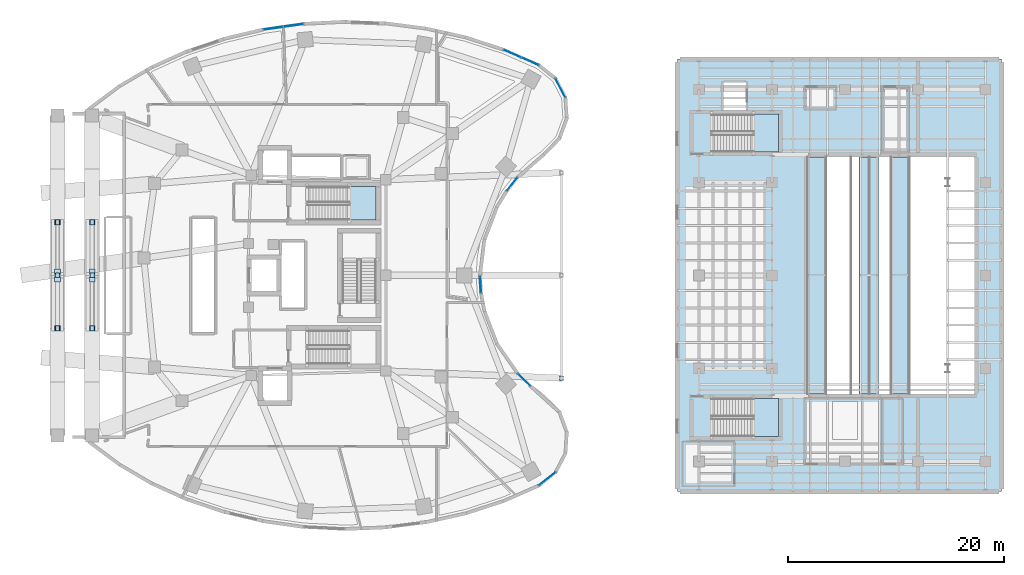
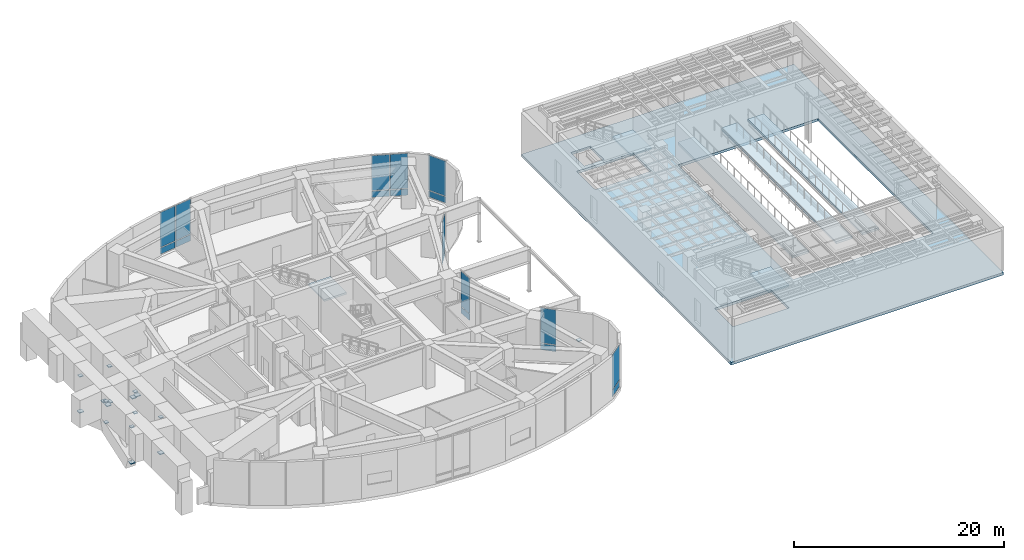
# One storey, part 12 of 23: 35 plates, 7 slabs, 10 elements without a shape of their own.
"""IFC4 building model written with IfcOpenShell, lengths in metres."""

from ifc_helpers import new_model, si_unit, direction, frame, origin, origin_2d, place, context, subcontext, project, spatial, polyline, rectangle, outline, extrude, material, layer, layer_set, type_object, element, aggregate, save


model = new_model("IFC4")

# Units and contexts
model_context = context("Model", 3, precision=1e-05, world=origin(), true_north=direction((0.0, 1.0)))
body_context = subcontext(model_context, "Body", "Model", "MODEL_VIEW")
ifc_project = project(units=[si_unit("LENGTHUNIT", "METRE"), si_unit("AREAUNIT", "SQUARE_METRE"), si_unit("VOLUMEUNIT", "CUBIC_METRE"), si_unit("PLANEANGLEUNIT", "RADIAN"), si_unit("MASSUNIT", "GRAM", prefix="KILO")], contexts=[model_context])

# Site, building, storey
site_placement = place(None, origin())
site = spatial("IfcSite", under=ifc_project, at=site_placement, CompositionType="ELEMENT")
building_placement = place(site_placement, origin())
building = spatial("IfcBuilding", under=site, at=building_placement, Name="Korentha Bioscience Tower", CompositionType="ELEMENT")
storey_placement = place(building_placement, frame((0.0, 0.0, 15.0)))
storey = spatial("IfcBuildingStorey", under=building, at=storey_placement, Name="L03", CompositionType="ELEMENT", Elevation=15.0)

# Slabs
ifc_material_1 = material(Name="Concrete C50", Category="concrete")
ifc_layer_1 = layer(ifc_material_1, 0.260009765625, Name="Concrete C50")
ifc_layer_set_1 = layer_set([ifc_layer_1], Name="Concrete C50 (ST-TIER)")
slab_type_1 = type_object("IfcSlabType", Name="Auditorium Raked Seating Tier Slab 260", PredefinedType="USERDEFINED", material=ifc_layer_set_1)
slab_1_placement = place(storey_placement, frame((0.0, 0.0, 2.43994140625)))
element("IfcSlab", 1, at=slab_1_placement, inside=storey, type_object=slab_type_1, Name="L03 Auditorium Acoustic Catwalk 1", ObjectType="SEATING_TIER", PredefinedType="USERDEFINED", context=body_context, shape_type="SweptSolid", body=[
    extrude(outline(polyline([(76.5, 16.050048828125), (78.300048828125, 16.050048828125), (78.300048828125, 37.949951171875), (76.5, 37.949951171875), (76.5, 16.050048828125)])), origin(), (0.0, 0.0, 1.0), 0.260009765625),
])
slab_2_placement = place(storey_placement, frame((0.0, 0.0, 2.43994140625)))
element("IfcSlab", 2, at=slab_2_placement, inside=storey, type_object=slab_type_1, Name="L03 Auditorium Acoustic Catwalk 2", ObjectType="SEATING_TIER", PredefinedType="USERDEFINED", context=body_context, shape_type="SweptSolid", body=[
    extrude(outline(polyline([(81.300048828125, 16.050048828125), (83.10009765625, 16.050048828125), (83.10009765625, 37.949951171875), (81.300048828125, 37.949951171875), (81.300048828125, 16.050048828125)])), origin(), (0.0, 0.0, 1.0), 0.260009765625),
])
slab_3_placement = place(storey_placement, frame((0.0, 0.0, 2.43994140625)))
element("IfcSlab", 3, at=slab_3_placement, inside=storey, type_object=slab_type_1, Name="L03 Auditorium Acoustic Catwalk 3", ObjectType="SEATING_TIER", PredefinedType="USERDEFINED", context=body_context, shape_type="SweptSolid", body=[
    extrude(outline(polyline([(84.199951171875, 16.050048828125), (86.0, 16.050048828125), (86.0, 37.949951171875), (84.199951171875, 37.949951171875), (84.199951171875, 16.050048828125)])), origin(), (0.0, 0.0, 1.0), 0.260009765625),
])
ifc_layer_2 = layer(ifc_material_1, 0.300048828125, Name="Concrete C50")
ifc_layer_set_2 = layer_set([ifc_layer_2], Name="Concrete C50 (SL-TH300)")
slab_type_2 = type_object("IfcSlabType", Name="Civic Theatre Floor Slab 300", PredefinedType="FLOOR", material=ifc_layer_set_2)
slab_4_placement = place(storey_placement, frame((0.0, 0.0, -0.300048828125)))
element("IfcSlab", 4, at=slab_4_placement, inside=storey, type_object=slab_type_2, Name="L03 Civic Performing-Arts Theatre Floor Slab", PredefinedType="FLOOR", context=body_context, shape_type="SweptSolid", body=[
    extrude(outline(polyline([(64.5, 7.0), (94.5, 7.0), (94.5, 47.0), (64.5, 47.0), (64.5, 7.0)]), holes=[polyline([(67.64990234375, 12.10009765625), (73.85009765625, 12.10009765625), (73.85009765625, 15.60009765625), (67.64990234375, 15.60009765625), (67.64990234375, 12.10009765625)]), polyline([(67.64990234375, 38.39990234375), (73.85009765625, 38.39990234375), (73.85009765625, 41.89990234375), (67.64990234375, 41.89990234375), (67.64990234375, 38.39990234375)]), polyline([(68.7099609375, 42.31005859375), (70.889892578125, 42.31005859375), (70.889892578125, 44.889892578125), (68.7099609375, 44.889892578125), (68.7099609375, 42.31005859375)]), polyline([(76.550048828125, 16.0), (92.0, 16.0), (92.0, 38.0), (76.550048828125, 38.0), (76.550048828125, 16.0)])]), origin(), (0.0, 0.0, 1.0), 0.300048828125),
])

# Curtain wall, plates
ifc_material_2 = material(Name="Stone-Clad Aluminium Frame", Category="masonry")
ifc_layer_3 = layer(ifc_material_2, 0.219970703125, Name="Stone-Clad Aluminium Frame")
ifc_layer_set_3 = layer_set([ifc_layer_3], Name="Stone-Clad Aluminium Frame (CW-P1)")
curtain_wall_type = type_object("IfcCurtainWallType", Name="Podium Double-Height Stone-Mullion Curtain Wall CW-P1", PredefinedType="USERDEFINED", material=ifc_layer_set_3)
curtain_wall_1_placement = place(storey_placement, origin())
curtain_wall_1 = element("IfcCurtainWall", 5, at=curtain_wall_1_placement, inside=storey, type_object=curtain_wall_type, Name="L03 Curtain Wall 01", ObjectType="UNITISED", PredefinedType="USERDEFINED")
ifc_material_3 = material(Name="Triple-Glazed Low-E Insulated Glass", Category="glass")
ifc_layer_4 = layer(ifc_material_3, 0.0439453125, Name="Triple-Glazed Low-E Insulated Glass")
ifc_layer_set_4 = layer_set([ifc_layer_4], Name="Triple-Glazed Low-E Insulated Glass (GL-44)")
plate_type_1 = type_object("IfcPlateType", Name="Glazed Panel 44mm", PredefinedType="CURTAIN_PANEL", material=ifc_layer_set_4)
plate_1_placement = place(storey_placement, frame((50.893310546875, 46.780029296875, 0.08984375), z_axis=(0.0, 0.0, 1.0), x_axis=(-0.91593909057, 0.401317308828, 0.0)))
plate_1 = element("IfcPlate", 6, at=plate_1_placement, type_object=plate_type_1, Name="CW-L03-01 Bay 1 Glazed Panel 1", PredefinedType="CURTAIN_PANEL", context=body_context, shape_type="SweptSolid", body=[
    extrude(rectangle(XDim=1.701171875, YDim=0.0439453125, at=origin_2d()), origin(), (0.0, 0.0, 1.0), 0.715087890625),
])
plate_2_placement = place(storey_placement, frame((50.893310546875, 46.780029296875, 0.89501953125), z_axis=(0.0, 0.0, 1.0), x_axis=(-0.91593909057, 0.401317308828, 0.0)))
plate_2 = element("IfcPlate", 7, at=plate_2_placement, type_object=plate_type_1, Name="CW-L03-01 Bay 1 Glazed Panel 2", PredefinedType="CURTAIN_PANEL", context=body_context, shape_type="SweptSolid", body=[
    extrude(rectangle(XDim=1.701171875, YDim=0.0439453125, at=origin_2d()), origin(), (0.0, 0.0, 1.0), 4.06494140625),
])
plate_3_placement = place(storey_placement, frame((49.25244140625, 47.498779296875, 0.08984375), z_axis=(0.0, 0.0, 1.0), x_axis=(-0.91593909057, 0.401317308828, 0.0)))
plate_3 = element("IfcPlate", 8, at=plate_3_placement, type_object=plate_type_1, Name="CW-L03-01 Bay 2 Glazed Panel 1", PredefinedType="CURTAIN_PANEL", context=body_context, shape_type="SweptSolid", body=[
    extrude(rectangle(XDim=1.701171875, YDim=0.0439453125, at=origin_2d()), origin(), (0.0, 0.0, 1.0), 0.715087890625),
])
plate_4_placement = place(storey_placement, frame((49.25244140625, 47.498779296875, 0.89501953125), z_axis=(0.0, 0.0, 1.0), x_axis=(-0.91593909057, 0.401317308828, 0.0)))
plate_4 = element("IfcPlate", 9, at=plate_4_placement, type_object=plate_type_1, Name="CW-L03-01 Bay 2 Glazed Panel 2", PredefinedType="CURTAIN_PANEL", context=body_context, shape_type="SweptSolid", body=[
    extrude(rectangle(XDim=1.701171875, YDim=0.0439453125, at=origin_2d()), origin(), (0.0, 0.0, 1.0), 4.06494140625),
])
aggregate(curtain_wall_1, [plate_1, plate_2, plate_3, plate_4])

curtain_wall_2_placement = place(storey_placement, origin())
curtain_wall_2 = element("IfcCurtainWall", 10, at=curtain_wall_2_placement, inside=storey, type_object=curtain_wall_type, Name="L03 Curtain Wall 07", ObjectType="UNITISED", PredefinedType="USERDEFINED")
plate_5_placement = place(storey_placement, frame((29.0224609375, 50.11572265625, 0.08984375), z_axis=(0.0, 0.0, 1.0), x_axis=(-0.990167372968, -0.139887717511, 0.0)))
plate_5 = element("IfcPlate", 11, at=plate_5_placement, type_object=plate_type_1, Name="CW-L03-07 Bay 1 Glazed Panel 1", PredefinedType="CURTAIN_PANEL", context=body_context, shape_type="SweptSolid", body=[
    extrude(rectangle(XDim=1.800537109375, YDim=0.0439453125, at=origin_2d()), origin(), (0.0, 0.0, 1.0), 0.715087890625),
])
plate_6_placement = place(storey_placement, frame((29.0224609375, 50.11572265625, 0.89501953125), z_axis=(0.0, 0.0, 1.0), x_axis=(-0.990167372968, -0.139887717511, 0.0)))
plate_6 = element("IfcPlate", 12, at=plate_6_placement, type_object=plate_type_1, Name="CW-L03-07 Bay 1 Glazed Panel 2", PredefinedType="CURTAIN_PANEL", context=body_context, shape_type="SweptSolid", body=[
    extrude(rectangle(XDim=1.800537109375, YDim=0.0439453125, at=origin_2d()), origin(), (0.0, 0.0, 1.0), 4.06494140625),
])
plate_7_placement = place(storey_placement, frame((27.150634765625, 49.851318359375, 0.08984375), z_axis=(0.0, 0.0, 1.0), x_axis=(-0.990167372968, -0.139887717511, 0.0)))
plate_7 = element("IfcPlate", 13, at=plate_7_placement, type_object=plate_type_1, Name="CW-L03-07 Bay 2 Glazed Panel 1", PredefinedType="CURTAIN_PANEL", context=body_context, shape_type="SweptSolid", body=[
    extrude(rectangle(XDim=1.800537109375, YDim=0.0439453125, at=origin_2d()), origin(), (0.0, 0.0, 1.0), 0.715087890625),
])
plate_8_placement = place(storey_placement, frame((27.150634765625, 49.851318359375, 0.89501953125), z_axis=(0.0, 0.0, 1.0), x_axis=(-0.990167372968, -0.139887717511, 0.0)))
plate_8 = element("IfcPlate", 14, at=plate_8_placement, type_object=plate_type_1, Name="CW-L03-07 Bay 2 Glazed Panel 2", PredefinedType="CURTAIN_PANEL", context=body_context, shape_type="SweptSolid", body=[
    extrude(rectangle(XDim=1.800537109375, YDim=0.0439453125, at=origin_2d()), origin(), (0.0, 0.0, 1.0), 4.06494140625),
])
aggregate(curtain_wall_2, [plate_5, plate_6, plate_7, plate_8])

curtain_wall_3_placement = place(storey_placement, origin())
curtain_wall_3 = element("IfcCurtainWall", 15, at=curtain_wall_3_placement, inside=storey, type_object=curtain_wall_type, Name="L03 Curtain Wall 37", ObjectType="UNITISED", PredefinedType="USERDEFINED")
plate_9_placement = place(storey_placement, frame((52.4755859375, 8.19140625, 0.08984375), z_axis=(0.0, 0.0, 1.0), x_axis=(0.782287851332, 0.62291710336, 0.0)))
plate_9 = element("IfcPlate", 16, at=plate_9_placement, type_object=plate_type_1, Name="CW-L03-37 Bay 1 Glazed Panel 1", PredefinedType="CURTAIN_PANEL", context=body_context, shape_type="SweptSolid", body=[
    extrude(rectangle(XDim=1.927734375, YDim=0.0439453125, at=origin_2d()), origin(), (0.0, 0.0, 1.0), 0.715087890625),
])
plate_10_placement = place(storey_placement, frame((52.4755859375, 8.19140625, 0.89501953125), z_axis=(0.0, 0.0, 1.0), x_axis=(0.782287851332, 0.62291710336, 0.0)))
plate_10 = element("IfcPlate", 17, at=plate_10_placement, type_object=plate_type_1, Name="CW-L03-37 Bay 1 Glazed Panel 2", PredefinedType="CURTAIN_PANEL", context=body_context, shape_type="SweptSolid", body=[
    extrude(rectangle(XDim=1.927734375, YDim=0.0439453125, at=origin_2d()), origin(), (0.0, 0.0, 1.0), 4.06494140625),
])
aggregate(curtain_wall_3, [plate_9, plate_10])

curtain_wall_4_placement = place(storey_placement, origin())
curtain_wall_4 = element("IfcCurtainWall", 18, at=curtain_wall_4_placement, inside=storey, type_object=curtain_wall_type, Name="L03 Curtain Wall 43", ObjectType="UNITISED", PredefinedType="USERDEFINED")
plate_11_placement = place(storey_placement, frame((50.333251953125, 17.335693359375, 0.08984375), z_axis=(0.0, 0.0, 1.0), x_axis=(-0.713279246754, 0.700879958445, 0.0)))
plate_11 = element("IfcPlate", 19, at=plate_11_placement, type_object=plate_type_1, Name="CW-L03-43 Bay 1 Glazed Panel 1", PredefinedType="CURTAIN_PANEL", context=body_context, shape_type="SweptSolid", body=[
    extrude(rectangle(XDim=1.537841796875, YDim=0.0439453125, at=origin_2d()), origin(), (0.0, 0.0, 1.0), 0.715087890625),
])
plate_12_placement = place(storey_placement, frame((50.333251953125, 17.335693359375, 0.89501953125), z_axis=(0.0, 0.0, 1.0), x_axis=(-0.713279246754, 0.700879958445, 0.0)))
plate_12 = element("IfcPlate", 20, at=plate_12_placement, type_object=plate_type_1, Name="CW-L03-43 Bay 1 Glazed Panel 2", PredefinedType="CURTAIN_PANEL", context=body_context, shape_type="SweptSolid", body=[
    extrude(rectangle(XDim=1.537841796875, YDim=0.0439453125, at=origin_2d()), origin(), (0.0, 0.0, 1.0), 4.06494140625),
])
aggregate(curtain_wall_4, [plate_11, plate_12])

curtain_wall_5_placement = place(storey_placement, origin())
curtain_wall_5 = element("IfcCurtainWall", 21, at=curtain_wall_5_placement, inside=storey, type_object=curtain_wall_type, Name="L03 Curtain Wall 49", ObjectType="UNITISED", PredefinedType="USERDEFINED")
plate_13_placement = place(storey_placement, frame((46.305908203125, 26.1728515625, 0.08984375), z_axis=(0.0, 0.0, 1.0), x_axis=(-0.061008272998, 0.998137260413, 0.0)))
plate_13 = element("IfcPlate", 22, at=plate_13_placement, type_object=plate_type_1, Name="CW-L03-49 Bay 1 Glazed Panel 1", PredefinedType="CURTAIN_PANEL", context=body_context, shape_type="SweptSolid", body=[
    extrude(rectangle(XDim=1.537841796875, YDim=0.0439453125, at=origin_2d()), origin(), (0.0, 0.0, 1.0), 0.715087890625),
])
plate_14_placement = place(storey_placement, frame((46.305908203125, 26.1728515625, 0.89501953125), z_axis=(0.0, 0.0, 1.0), x_axis=(-0.061008272998, 0.998137260413, 0.0)))
plate_14 = element("IfcPlate", 23, at=plate_14_placement, type_object=plate_type_1, Name="CW-L03-49 Bay 1 Glazed Panel 2", PredefinedType="CURTAIN_PANEL", context=body_context, shape_type="SweptSolid", body=[
    extrude(rectangle(XDim=1.537841796875, YDim=0.0439453125, at=origin_2d()), origin(), (0.0, 0.0, 1.0), 4.06494140625),
])
aggregate(curtain_wall_5, [plate_13, plate_14])

curtain_wall_6_placement = place(storey_placement, origin())
curtain_wall_6 = element("IfcCurtainWall", 24, at=curtain_wall_6_placement, inside=storey, type_object=curtain_wall_type, Name="L03 Curtain Wall 55", ObjectType="UNITISED", PredefinedType="USERDEFINED")
plate_15_placement = place(storey_placement, frame((49.226318359375, 35.434814453125, 0.08984375), z_axis=(0.0, 0.0, 1.0), x_axis=(0.622520324648, 0.782603632371, 0.0)))
plate_15 = element("IfcPlate", 25, at=plate_15_placement, type_object=plate_type_1, Name="CW-L03-55 Bay 1 Glazed Panel 1", PredefinedType="CURTAIN_PANEL", context=body_context, shape_type="SweptSolid", body=[
    extrude(rectangle(XDim=1.537841796875, YDim=0.0439453125, at=origin_2d()), origin(), (0.0, 0.0, 1.0), 0.715087890625),
])
plate_16_placement = place(storey_placement, frame((49.226318359375, 35.434814453125, 0.89501953125), z_axis=(0.0, 0.0, 1.0), x_axis=(0.622520324648, 0.782603632371, 0.0)))
plate_16 = element("IfcPlate", 26, at=plate_16_placement, type_object=plate_type_1, Name="CW-L03-55 Bay 1 Glazed Panel 2", PredefinedType="CURTAIN_PANEL", context=body_context, shape_type="SweptSolid", body=[
    extrude(rectangle(XDim=1.537841796875, YDim=0.0439453125, at=origin_2d()), origin(), (0.0, 0.0, 1.0), 4.06494140625),
])
aggregate(curtain_wall_6, [plate_15, plate_16])

curtain_wall_7_placement = place(storey_placement, origin())
curtain_wall_7 = element("IfcCurtainWall", 27, at=curtain_wall_7_placement, inside=storey, type_object=curtain_wall_type, Name="L03 Curtain Wall 61", ObjectType="UNITISED", PredefinedType="USERDEFINED")
plate_17_placement = place(storey_placement, frame((53.6962890625, 44.32958984375, 0.08984375), z_axis=(0.0, 0.0, 1.0), x_axis=(-0.463008597697, 0.886353788539, 0.0)))
plate_17 = element("IfcPlate", 28, at=plate_17_placement, type_object=plate_type_1, Name="CW-L03-61 Bay 1 Glazed Panel 1", PredefinedType="CURTAIN_PANEL", context=body_context, shape_type="SweptSolid", body=[
    extrude(rectangle(XDim=1.927734375, YDim=0.0439453125, at=origin_2d()), origin(), (0.0, 0.0, 1.0), 0.715087890625),
])
plate_18_placement = place(storey_placement, frame((53.6962890625, 44.32958984375, 0.89501953125), z_axis=(0.0, 0.0, 1.0), x_axis=(-0.463008597697, 0.886353788539, 0.0)))
plate_18 = element("IfcPlate", 29, at=plate_18_placement, type_object=plate_type_1, Name="CW-L03-61 Bay 1 Glazed Panel 2", PredefinedType="CURTAIN_PANEL", context=body_context, shape_type="SweptSolid", body=[
    extrude(rectangle(XDim=1.927734375, YDim=0.0439453125, at=origin_2d()), origin(), (0.0, 0.0, 1.0), 4.06494140625),
])
aggregate(curtain_wall_7, [plate_17, plate_18])

# Plates
ifc_material_4 = material(Name="Steel S355", Category="steel")
ifc_layer_5 = layer(ifc_material_4, 0.080078125, Name="Steel S355")
ifc_layer_set_5 = layer_set([ifc_layer_5], Name="Steel S355 (CP-02)")
plate_type_2 = type_object("IfcPlateType", Name="Hollow Section End Cap Plate 400x400x80", PredefinedType="USERDEFINED", material=ifc_layer_set_5)
for number, where, z_axis, x_axis, name in (
    (30, (7.199951171875, 22.10009765625, 3.409912109375), (0.0, 0.0, 1.0), (1.0, 0.0, 0.0), "Arch Vertical 1-3 End Cap 2"),
    (31, (7.199951171875, 27.0, 0.9599609375), (0.0, 0.0, 1.0), (1.0, 0.0, 0.0), "Arch Vertical 1-4 End Cap 1"),
    (32, (7.199951171875, 27.0, 3.409912109375), (0.0, 0.0, 1.0), (1.0, 0.0, 0.0), "Arch Vertical 1-4 End Cap 2"),
    (33, (7.199951171875, 31.89990234375, 3.409912109375), (0.0, 0.0, 1.0), (1.0, 0.0, 0.0), "Arch Vertical 1-5 End Cap 2"),
    (34, (10.39990234375, 22.10009765625, 3.409912109375), (0.0, 0.0, 1.0), (1.0, 0.0, 0.0), "Arch Vertical 2-3 End Cap 2"),
    (35, (10.39990234375, 27.0, 0.9599609375), (0.0, 0.0, 1.0), (1.0, 0.0, 0.0), "Arch Vertical 2-4 End Cap 1"),
    (36, (10.39990234375, 27.0, 3.409912109375), (0.0, 0.0, 1.0), (1.0, 0.0, 0.0), "Arch Vertical 2-4 End Cap 2"),
    (37, (10.39990234375, 31.89990234375, 3.409912109375), (0.0, 0.0, 1.0), (1.0, 0.0, 0.0), "Arch Vertical 2-5 End Cap 2"),
    (38, (53.800048828125, 17.5, -0.0400390625), (0.0, 0.0, 1.0), (1.0, 0.0, 0.0), "Terrace Column Splice Cap 1"),
):
    element("IfcPlate", number, at=place(storey_placement, frame(where, z_axis=z_axis, x_axis=x_axis)), inside=storey, type_object=plate_type_2, Name=name, ObjectType="CAP_PLATE", PredefinedType="USERDEFINED", context=body_context, shape_type="SweptSolid", body=[
        extrude(rectangle(XDim=0.39990234375, YDim=0.39990234375, at=origin_2d()), origin(), (0.0, 0.0, 1.0), 0.080078125),
    ])
ifc_layer_6 = layer(ifc_material_4, 0.080078125, Name="Steel S355")
ifc_layer_set_6 = layer_set([ifc_layer_6], Name="Steel S355 (CP-01)")
plate_type_3 = type_object("IfcPlateType", Name="Hollow Section End Cap Plate 520x520x80", PredefinedType="USERDEFINED", material=ifc_layer_set_6)
for number, where, z_axis, x_axis, name in (
    (39, (7.199951171875, 22.10009765625, -0.739990234375), (0.0, 0.0, 1.0), (0.0, 1.0, 0.0), "Arch Strut 1-3 End Cap 1"),
    (40, (7.199951171875, 26.64990234375, 3.2099609375), (0.0, 0.0, 1.0), (0.0, 1.0, 0.0), "Arch Strut 1-3 End Cap 2"),
    (41, (7.199951171875, 31.89990234375, -0.739990234375), (0.0, 0.0, 1.0), (0.0, 1.0, 0.0), "Arch Strut 1-4 End Cap 1"),
    (42, (7.199951171875, 27.35009765625, 3.2099609375), (0.0, 0.0, 1.0), (0.0, 1.0, 0.0), "Arch Strut 1-4 End Cap 2"),
    (43, (10.39990234375, 22.10009765625, -0.739990234375), (0.0, 0.0, 1.0), (0.0, 1.0, 0.0), "Arch Strut 2-3 End Cap 1"),
    (44, (10.39990234375, 26.64990234375, 3.2099609375), (0.0, 0.0, 1.0), (0.0, 1.0, 0.0), "Arch Strut 2-3 End Cap 2"),
    (45, (10.39990234375, 31.89990234375, -0.739990234375), (0.0, 0.0, 1.0), (0.0, 1.0, 0.0), "Arch Strut 2-4 End Cap 1"),
    (46, (10.39990234375, 27.35009765625, 2.56005859375), (0.0, 0.0, 1.0), (0.0, 1.0, 0.0), "Arch Strut 2-4 End Cap 2"),
):
    element("IfcPlate", number, at=place(storey_placement, frame(where, z_axis=z_axis, x_axis=x_axis)), inside=storey, type_object=plate_type_3, Name=name, ObjectType="CAP_PLATE", PredefinedType="USERDEFINED", context=body_context, shape_type="SweptSolid", body=[
        extrude(rectangle(XDim=0.52001953125, YDim=0.52001953125, at=origin_2d()), origin(), (0.0, 0.0, 1.0), 0.080078125),
    ])

# Stair, slab
ifc_material_5 = material(Name="Precast Concrete C50", Category="concrete")
stair_type_1 = type_object("IfcStairType", Name="Core Exit Dog-Leg Stair 1450", PredefinedType="HALF_TURN_STAIR", material=ifc_material_5)
stair_1_placement = place(storey_placement, origin())
stair_1 = element("IfcStair", 47, at=stair_1_placement, inside=storey, type_object=stair_type_1, Name="L03 Tower North Pressurized Exit Stair ST-1", PredefinedType="HALF_TURN_STAIR")
ifc_layer_7 = layer(ifc_material_1, 0.199951171875, Name="Concrete C50")
ifc_layer_set_7 = layer_set([ifc_layer_7], Name="Concrete C50 (SL-LND)")
slab_type_3 = type_object("IfcSlabType", Name="Landing Slab 200", PredefinedType="LANDING", material=ifc_layer_set_7)
slab_5_placement = place(storey_placement, frame((0.0, 0.0, 2.5)))
slab_5 = element("IfcSlab", 48, at=slab_5_placement, type_object=slab_type_3, Name="ST-1 landing 1", PredefinedType="LANDING", context=body_context, shape_type="SweptSolid", body=[
    extrude(outline(polyline([(34.169921875, 32.10009765625), (36.64990234375, 32.10009765625), (36.64990234375, 35.199951171875), (34.169921875, 35.199951171875), (34.169921875, 32.10009765625)])), origin(), (0.0, 0.0, 1.0), 0.199951171875),
])
aggregate(stair_1, [slab_5])

stair_type_2 = type_object("IfcStairType", Name="Theatre Public Dog-Leg Stair 1650", PredefinedType="HALF_TURN_STAIR", material=ifc_material_5)
stair_2_placement = place(storey_placement, origin())
stair_2 = element("IfcStair", 49, at=stair_2_placement, inside=storey, type_object=stair_type_2, Name="L03 Civic Theatre South Exit Stair ST-T1", PredefinedType="HALF_TURN_STAIR")
slab_6_placement = place(storey_placement, frame((0.0, 0.0, 2.5)))
slab_6 = element("IfcSlab", 50, at=slab_6_placement, type_object=slab_type_3, Name="ST-T1 landing 1", PredefinedType="LANDING", context=body_context, shape_type="SweptSolid", body=[
    extrude(outline(polyline([(71.570068359375, 12.10009765625), (73.85009765625, 12.10009765625), (73.85009765625, 15.60009765625), (71.570068359375, 15.60009765625), (71.570068359375, 12.10009765625)])), origin(), (0.0, 0.0, 1.0), 0.199951171875),
])
aggregate(stair_2, [slab_6])

stair_3_placement = place(storey_placement, origin())
stair_3 = element("IfcStair", 51, at=stair_3_placement, inside=storey, type_object=stair_type_2, Name="L03 Civic Theatre North Exit Stair ST-T2", PredefinedType="HALF_TURN_STAIR")
slab_7_placement = place(storey_placement, frame((0.0, 0.0, 2.5)))
slab_7 = element("IfcSlab", 52, at=slab_7_placement, type_object=slab_type_3, Name="ST-T2 landing 1", PredefinedType="LANDING", context=body_context, shape_type="SweptSolid", body=[
    extrude(outline(polyline([(71.570068359375, 38.39990234375), (73.85009765625, 38.39990234375), (73.85009765625, 41.89990234375), (71.570068359375, 41.89990234375), (71.570068359375, 38.39990234375)])), origin(), (0.0, 0.0, 1.0), 0.199951171875),
])
aggregate(stair_3, [slab_7])

save(model, "model.ifc")
